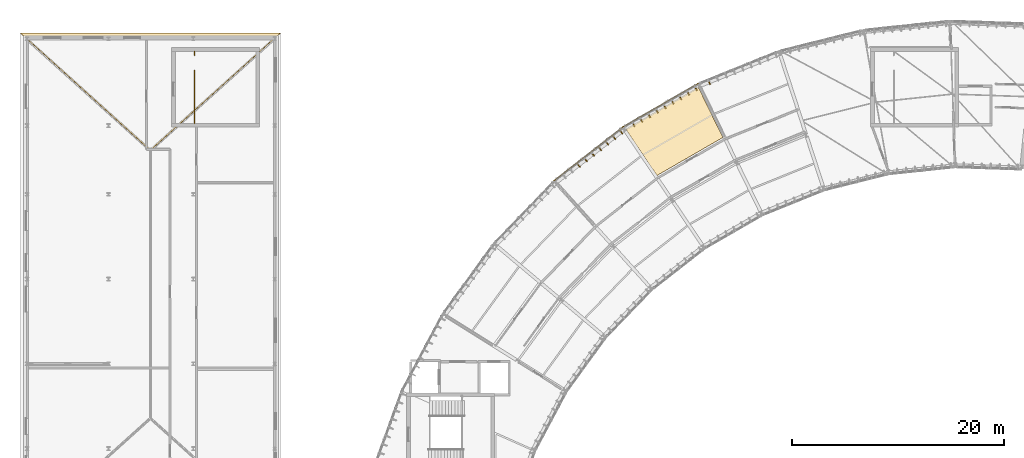
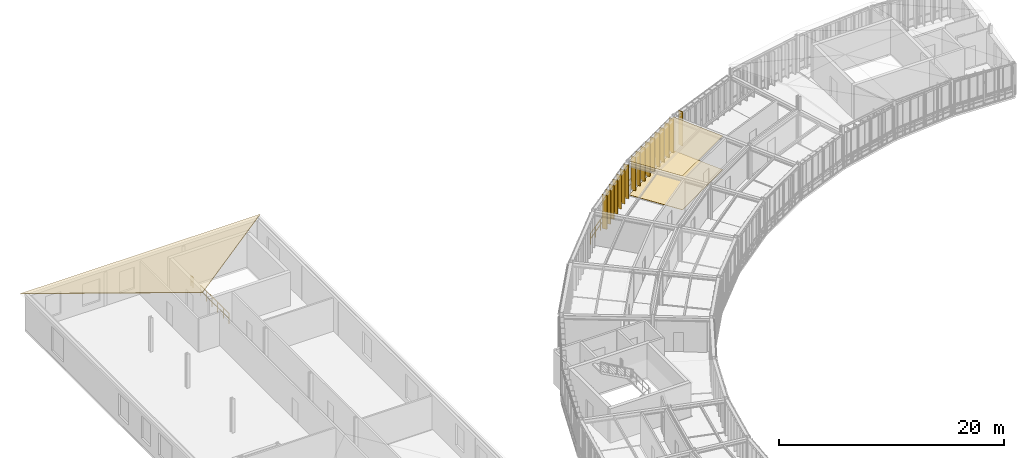
# One storey, part 41 of 42: 20 coverings, 4 railings.
"""IFC4 building model written with IfcOpenShell, lengths in metres."""

from ifc_helpers import new_model, si_unit, direction, frame, origin, origin_2d, place, context, subcontext, project, spatial, polyline, rectangle, circle, outline, extrude, material, layer, layer_set, type_object, element, save


model = new_model("IFC4")

# Units and contexts
model_context = context("Model", 3, precision=1e-05, world=origin(), true_north=direction((0.0, 1.0)))
body_context = subcontext(model_context, "Body", "Model", "MODEL_VIEW")
ifc_project = project(units=[si_unit("LENGTHUNIT", "METRE"), si_unit("AREAUNIT", "SQUARE_METRE"), si_unit("VOLUMEUNIT", "CUBIC_METRE"), si_unit("PLANEANGLEUNIT", "RADIAN"), si_unit("MASSUNIT", "GRAM", prefix="KILO"), si_unit("THERMODYNAMICTEMPERATUREUNIT", "KELVIN"), si_unit("POWERUNIT", "WATT")], contexts=[model_context])

# Site, building, storey
site_placement = place(None, origin())
site = spatial("IfcSite", under=ifc_project, at=site_placement, CompositionType="ELEMENT")
building_placement = place(site_placement, origin())
building = spatial("IfcBuilding", under=site, at=building_placement, Name="Solvatero Civic Police Headquarters", CompositionType="ELEMENT")
storey_placement = place(building_placement, frame((0.0, 0.0, 21.60009765625)))
storey = spatial("IfcBuildingStorey", under=building, at=storey_placement, Name="L05", CompositionType="ELEMENT", Elevation=21.60009765625)

# Coverings
ifc_material_1 = material(Name="Mineral-Fibre Acoustic Tile", Category="gypsum")
ifc_layer_1 = layer(ifc_material_1, 0.02490234375)
ifc_layer_set_1 = layer_set([ifc_layer_1], Name="Mineral-Fibre Acoustic Tile")
covering_type_1 = type_object("IfcCoveringType", Name="COV-CEIL-AC", PredefinedType="CEILING", material=ifc_layer_set_1)
covering_1_placement = place(storey_placement, frame((0.0, 0.0, 3.6748046875)))
element("IfcCovering", 1, at=covering_1_placement, inside=storey, type_object=covering_type_1, Name="Acoustic Ceiling Personnel Vetting and Training Admin Bay 5", PredefinedType="CEILING", context=body_context, shape_type="SweptSolid", body=[
    extrude(outline(polyline([(64.276611328125, 70.28125), (61.31884765625, 74.66650390625), (68.177001953125, 78.6259765625), (70.49560546875, 73.871826171875), (64.276611328125, 70.28125)])), origin(), (0.0, 0.0, 1.0), 0.025146484375),
])
ifc_material_2 = material(Name="Anodized Bronze Aluminium", Category="aluminium")
ifc_layer_2 = layer(ifc_material_2, 0.080078125)
ifc_layer_set_2 = layer_set([ifc_layer_2], Name="Anodized Bronze Aluminium")
covering_type_2 = type_object("IfcCoveringType", Name="COV-FIN-480", PredefinedType="CLADDING", material=ifc_layer_set_2)
for number, where, z_axis, x_axis, name in (
    (2, (69.202392578125, 79.10400390625, -0.02001953125), (0.0, 0.0, 1.0), (-0.927183854567, -0.374606593416, 0.0), "Vertical Brise-Soleil Fin 1054"),
    (3, (67.933349609375, 78.531005859375, -0.02001953125), (0.0, 0.0, 1.0), (-0.866034130299, -0.499984884929, 0.0), "Vertical Brise-Soleil Fin 1062"),
    (4, (67.197265625, 78.10595703125, -0.02001953125), (0.0, 0.0, 1.0), (-0.866034130299, -0.499984884929, 0.0), "Vertical Brise-Soleil Fin 1063"),
    (5, (66.461181640625, 77.680908203125, -0.02001953125), (0.0, 0.0, 1.0), (-0.866034130299, -0.499984884929, 0.0), "Vertical Brise-Soleil Fin 1064"),
    (6, (65.72509765625, 77.256103515625, -0.02001953125), (0.0, 0.0, 1.0), (-0.866034130299, -0.499984884929, 0.0), "Vertical Brise-Soleil Fin 1065"),
    (7, (64.989013671875, 76.8310546875, -0.02001953125), (0.0, 0.0, 1.0), (-0.866034130299, -0.499984884929, 0.0), "Vertical Brise-Soleil Fin 1066"),
    (8, (64.252685546875, 76.406005859375, -0.02001953125), (0.0, 0.0, 1.0), (-0.866034130299, -0.499984884929, 0.0), "Vertical Brise-Soleil Fin 1067"),
    (9, (63.5166015625, 75.98095703125, -0.02001953125), (0.0, 0.0, 1.0), (-0.866034130299, -0.499984884929, 0.0), "Vertical Brise-Soleil Fin 1068"),
    (10, (62.780517578125, 75.555908203125, -0.02001953125), (0.0, 0.0, 1.0), (-0.866034130299, -0.499984884929, 0.0), "Vertical Brise-Soleil Fin 1069"),
    (11, (62.04443359375, 75.131103515625, -0.02001953125), (0.0, 0.0, 1.0), (-0.866034130299, -0.499984884929, 0.0), "Vertical Brise-Soleil Fin 1070"),
    (12, (60.884033203125, 74.398193359375, -0.02001953125), (0.0, 0.0, 1.0), (-0.788010753607, -0.615661475326, 0.0), "Vertical Brise-Soleil Fin 1078"),
    (13, (60.21435546875, 73.875, -0.02001953125), (0.0, 0.0, 1.0), (-0.788010753607, -0.615661475326, 0.0), "Vertical Brise-Soleil Fin 1079"),
    (14, (59.54443359375, 73.351806640625, -0.02001953125), (0.0, 0.0, 1.0), (-0.788010753607, -0.615661475326, 0.0), "Vertical Brise-Soleil Fin 1080"),
    (15, (58.874755859375, 72.828369140625, -0.02001953125), (0.0, 0.0, 1.0), (-0.788010753607, -0.615661475326, 0.0), "Vertical Brise-Soleil Fin 1081"),
    (16, (58.204833984375, 72.304931640625, -0.02001953125), (0.0, 0.0, 1.0), (-0.788010753607, -0.615661475326, 0.0), "Vertical Brise-Soleil Fin 1082"),
    (17, (57.534912109375, 71.78173828125, -0.02001953125), (0.0, 0.0, 1.0), (-0.788010753607, -0.615661475326, 0.0), "Vertical Brise-Soleil Fin 1083"),
    (18, (56.865234375, 71.25830078125, -0.02001953125), (0.0, 0.0, 1.0), (-0.788010753607, -0.615661475326, 0.0), "Vertical Brise-Soleil Fin 1084"),
):
    element("IfcCovering", number, at=place(storey_placement, frame(where, z_axis=z_axis, x_axis=x_axis)), inside=storey, type_object=covering_type_2, Name=name, PredefinedType="CLADDING", context=body_context, shape_type="SweptSolid", body=[
        extrude(rectangle(XDim=0.080078125, YDim=0.47998046875, at=origin_2d()), origin(), (0.0, 0.0, 1.0), 3.679931640625),
    ])
ifc_material_3 = material(Name="Venetian Terrazzo Stone", Category="masonry")
ifc_layer_3 = layer(ifc_material_3, 0.034912109375)
ifc_layer_set_3 = layer_set([ifc_layer_3], Name="Venetian Terrazzo Stone")
covering_type_3 = type_object("IfcCoveringType", Name="COV-FLR-TER", PredefinedType="FLOORING", material=ifc_layer_set_3)
covering_2_placement = place(storey_placement, origin())
element("IfcCovering", 19, at=covering_2_placement, inside=storey, type_object=covering_type_3, Name="Flooring Personnel Vetting and Training Admin Bay 5", PredefinedType="FLOORING", context=body_context, shape_type="SweptSolid", body=[
    extrude(outline(polyline([(64.276611328125, 70.28125), (61.31884765625, 74.66650390625), (68.177001953125, 78.6259765625), (70.49560546875, 73.871826171875), (64.276611328125, 70.28125)])), origin(), (0.0, 0.0, 1.0), 0.034912109375),
])
ifc_material_4 = material(Name="Lombard Terracotta Clay Tile", Category="masonry")
ifc_layer_4 = layer(ifc_material_4, 0.06005859375)
ifc_layer_set_4 = layer_set([ifc_layer_4], Name="Lombard Terracotta Clay Tile")
covering_type_4 = type_object("IfcCoveringType", Name="COV-RF-TILE", PredefinedType="ROOFING", material=ifc_layer_set_4)
covering_3_placement = place(storey_placement, frame((28.760009765625, 83.760009765625, 3.829833984375), z_axis=(0.0, 0.226114118112, 0.974100819007), x_axis=(-1.0, 0.0, 0.0)))
element("IfcCovering", 20, at=covering_3_placement, inside=storey, type_object=covering_type_4, Name="FOR Lombard Terracotta Hipped Roof Covering N", PredefinedType="ROOFING", context=body_context, shape_type="SweptSolid", body=[
    extrude(outline(polyline([(0.0, 0.0), (24.6201171875, 0.0), (12.31005859375, 11.410513180455782), (0.0, 0.0)])), origin(), (0.0, 0.0, -1.0), 0.06005859375),
])

# Railings
ifc_material_5 = material(Name="Anodized Bronze and Laminated Glass", Category="glass")
railing_type_1 = type_object("IfcRailingType", Name="RL-BAL-115", PredefinedType="BALUSTRADE", material=ifc_material_5)
railing_1_placement = place(storey_placement, frame((68.162353515625, 78.974853515625, 0.0)))
element("IfcRailing", 21, at=railing_1_placement, inside=storey, type_object=railing_type_1, Name="Glazed Facade Sill Balustrade RL-L05-ARCOUT-B05", PredefinedType="BALUSTRADE", context=body_context, shape_type="SweptSolid", body=[
    extrude(circle(Radius=0.02392578125, at=origin_2d()), frame((0.0, 0.0, 1.1259765625), z_axis=(-0.866027366358, -0.499996600708, 0.0), x_axis=(0.499996600708, -0.866027366358, 0.0)), (0.0, 0.0, 1.0), 8.22265625),
    extrude(circle(Radius=0.02392578125, at=origin_2d()), frame((0.0, 0.0, 0.55078125), z_axis=(-0.866027366358, -0.499996600708, 0.0), x_axis=(0.499996600708, -0.866027366358, 0.0)), (0.0, 0.0, 1.0), 8.22265625),
    extrude(circle(Radius=0.02099609375, at=origin_2d()), origin(), (0.0, 0.0, 1.0), 1.101806640625),
    extrude(circle(Radius=0.02099609375, at=origin_2d()), frame((-1.017333984375, -0.58740234375, 0.0)), (0.0, 0.0, 1.0), 1.101806640625),
    extrude(circle(Radius=0.02099609375, at=origin_2d()), frame((-2.03466796875, -1.174560546875, 0.0)), (0.0, 0.0, 1.0), 1.101806640625),
    extrude(circle(Radius=0.02099609375, at=origin_2d()), frame((-3.052001953125, -1.761962890625, 0.0)), (0.0, 0.0, 1.0), 1.101806640625),
    extrude(circle(Radius=0.02099609375, at=origin_2d()), frame((-4.069091796875, -2.349365234375, 0.0)), (0.0, 0.0, 1.0), 1.101806640625),
    extrude(circle(Radius=0.02099609375, at=origin_2d()), frame((-5.08642578125, -2.936767578125, 0.0)), (0.0, 0.0, 1.0), 1.101806640625),
    extrude(circle(Radius=0.02099609375, at=origin_2d()), frame((-6.103759765625, -3.52392578125, 0.0)), (0.0, 0.0, 1.0), 1.101806640625),
    extrude(circle(Radius=0.02099609375, at=origin_2d()), frame((-7.12109375, -4.111328125, 0.0)), (0.0, 0.0, 1.0), 1.101806640625),
])
railing_2_placement = place(storey_placement, frame((61.041259765625, 74.863525390625, 0.0)))
element("IfcRailing", 22, at=railing_2_placement, inside=storey, type_object=railing_type_1, Name="Glazed Facade Sill Balustrade RL-L05-ARCOUT-B06", PredefinedType="BALUSTRADE", context=body_context, shape_type="SweptSolid", body=[
    extrude(circle(Radius=0.02392578125, at=origin_2d()), frame((0.0, 0.0, 1.1259765625), z_axis=(-0.788023473491, -0.61564519427, 0.0), x_axis=(0.61564519427, -0.788023473491, 0.0)), (0.0, 0.0, 1.0), 8.22314453125),
    extrude(circle(Radius=0.02392578125, at=origin_2d()), frame((0.0, 0.0, 0.55078125), z_axis=(-0.788023473491, -0.61564519427, 0.0), x_axis=(0.61564519427, -0.788023473491, 0.0)), (0.0, 0.0, 1.0), 8.22314453125),
    extrude(circle(Radius=0.02099609375, at=origin_2d()), origin(), (0.0, 0.0, 1.0), 1.101806640625),
    extrude(circle(Radius=0.02099609375, at=origin_2d()), frame((-0.92578125, -0.72314453125, 0.0)), (0.0, 0.0, 1.0), 1.101806640625),
    extrude(circle(Radius=0.02099609375, at=origin_2d()), frame((-1.851318359375, -1.446533203125, 0.0)), (0.0, 0.0, 1.0), 1.101806640625),
    extrude(circle(Radius=0.02099609375, at=origin_2d()), frame((-2.777099609375, -2.169677734375, 0.0)), (0.0, 0.0, 1.0), 1.101806640625),
    extrude(circle(Radius=0.02099609375, at=origin_2d()), frame((-3.702880859375, -2.892822265625, 0.0)), (0.0, 0.0, 1.0), 1.101806640625),
    extrude(circle(Radius=0.02099609375, at=origin_2d()), frame((-4.628662109375, -3.615966796875, 0.0)), (0.0, 0.0, 1.0), 1.101806640625),
    extrude(circle(Radius=0.02099609375, at=origin_2d()), frame((-5.55419921875, -4.33935546875, 0.0)), (0.0, 0.0, 1.0), 1.101806640625),
    extrude(circle(Radius=0.02099609375, at=origin_2d()), frame((-6.47998046875, -5.0625, 0.0)), (0.0, 0.0, 1.0), 1.101806640625),
])
ifc_material_6 = material(Name="Painted Galvanized Steel", Category="steel")
railing_type_2 = type_object("IfcRailingType", Name="RL-GRD-110", PredefinedType="GUARDRAIL", material=ifc_material_6)
railing_3_placement = place(storey_placement, frame((20.6298828125, 75.2099609375, 0.0)))
element("IfcRailing", 23, at=railing_3_placement, inside=storey, type_object=railing_type_2, Name="ST-C4 Top Landing Well Guardrail", PredefinedType="GUARDRAIL", context=body_context, shape_type="SweptSolid", body=[
    extrude(circle(Radius=0.02392578125, at=origin_2d()), frame((0.0, 0.0, 1.09619140625), z_axis=(0.0, 1.0, 0.0), x_axis=(-1.0, 0.0, 0.0)), (0.0, 0.0, 1.0), 5.010009765625),
    extrude(circle(Radius=0.02392578125, at=origin_2d()), frame((0.0, 0.0, 0.5361328125), z_axis=(0.0, 1.0, 0.0), x_axis=(-1.0, 0.0, 0.0)), (0.0, 0.0, 1.0), 5.010009765625),
    extrude(circle(Radius=0.02099609375, at=origin_2d()), origin(), (0.0, 0.0, 1.0), 1.072021484375),
    extrude(circle(Radius=0.02099609375, at=origin_2d()), frame((0.0, 1.001953125, 0.0)), (0.0, 0.0, 1.0), 1.072021484375),
    extrude(circle(Radius=0.02099609375, at=origin_2d()), frame((0.0, 2.00390625, 0.0)), (0.0, 0.0, 1.0), 1.072021484375),
    extrude(circle(Radius=0.02099609375, at=origin_2d()), frame((0.0, 3.006103515625, 0.0)), (0.0, 0.0, 1.0), 1.072021484375),
    extrude(circle(Radius=0.02099609375, at=origin_2d()), frame((0.0, 4.008056640625, 0.0)), (0.0, 0.0, 1.0), 1.072021484375),
    extrude(circle(Radius=0.02099609375, at=origin_2d()), frame((0.0, 5.010009765625, 0.0)), (0.0, 0.0, 1.0), 1.072021484375),
])
railing_4_placement = place(storey_placement, frame((20.6298828125, 81.6298828125, 0.0)))
element("IfcRailing", 24, at=railing_4_placement, inside=storey, type_object=railing_type_2, Name="ST-C4 Top Landing North Slot Guardrail", PredefinedType="GUARDRAIL", context=body_context, shape_type="SweptSolid", body=[
    extrude(circle(Radius=0.02392578125, at=origin_2d()), frame((0.0, 0.0, 1.09619140625), z_axis=(0.0, 1.0, 0.0), x_axis=(-1.0, 0.0, 0.0)), (0.0, 0.0, 1.0), 0.360107421875),
    extrude(circle(Radius=0.02392578125, at=origin_2d()), frame((0.0, 0.0, 0.5361328125), z_axis=(0.0, 1.0, 0.0), x_axis=(-1.0, 0.0, 0.0)), (0.0, 0.0, 1.0), 0.360107421875),
    extrude(circle(Radius=0.02099609375, at=origin_2d()), origin(), (0.0, 0.0, 1.0), 1.072021484375),
    extrude(circle(Radius=0.02099609375, at=origin_2d()), frame((0.0, 0.360107421875, 0.0)), (0.0, 0.0, 1.0), 1.072021484375),
])

save(model, "model.ifc")
